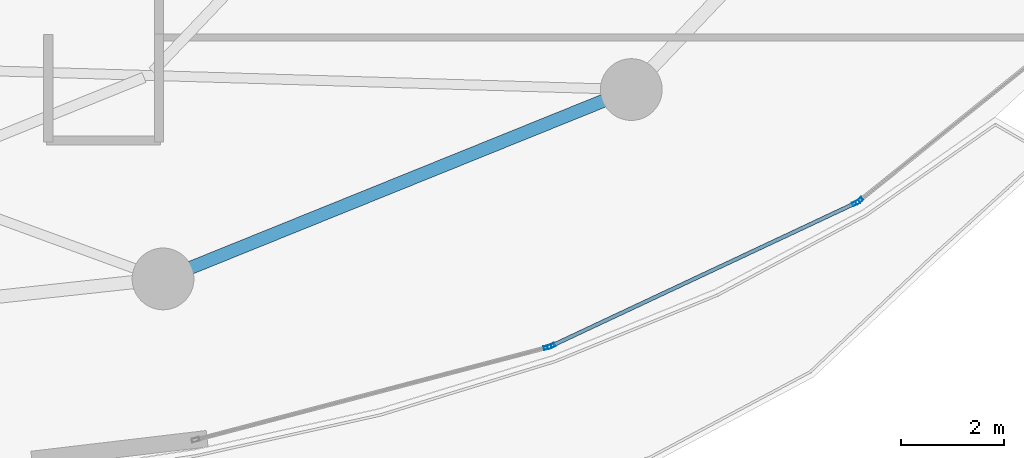
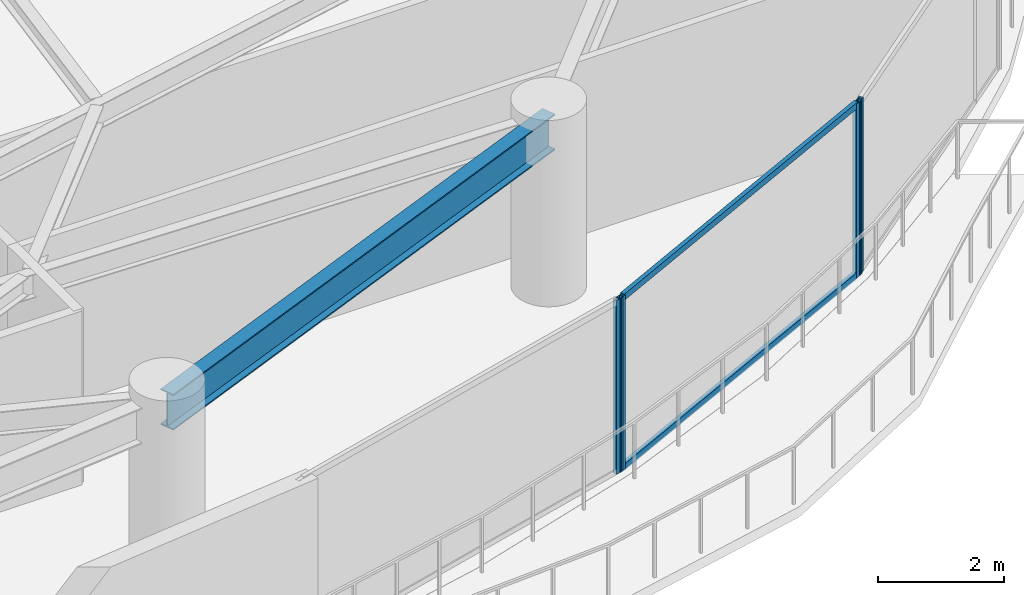
# One storey, part 14 of 34: 6 members, 1 beam, 3 elements without a shape of their own.
"""IFC4 building model written with IfcOpenShell, lengths in metres."""

from ifc_helpers import new_model, si_unit, direction, frame, origin, origin_2d, place, context, subcontext, project, spatial, hollow_rectangle, i_section, extrude, material, layer, layer_set, material_profile, profile_set, type_object, element, aggregate, save


model = new_model("IFC4")

# Units and contexts
model_context = context("Model", 3, precision=1e-05, world=origin(), true_north=direction((0.0, 1.0)))
body_context = subcontext(model_context, "Body", "Model", "MODEL_VIEW")
ifc_project = project(units=[si_unit("LENGTHUNIT", "METRE"), si_unit("AREAUNIT", "SQUARE_METRE"), si_unit("VOLUMEUNIT", "CUBIC_METRE"), si_unit("PLANEANGLEUNIT", "RADIAN"), si_unit("MASSUNIT", "GRAM", prefix="KILO")], contexts=[model_context])

# Site, building, storey
site_placement = place(None, origin())
site = spatial("IfcSite", under=ifc_project, at=site_placement, CompositionType="ELEMENT")
building_placement = place(site_placement, origin())
building = spatial("IfcBuilding", under=site, at=building_placement, Name="Kazevale Care Tower and Concert Hall", CompositionType="ELEMENT")
storey_placement = place(building_placement, frame((0.0, 0.0, 156.60009765625)))
storey = spatial("IfcBuildingStorey", under=building, at=storey_placement, Name="L41", CompositionType="ELEMENT", Elevation=156.60009765625)

# Curtain wall, member
ifc_material_1 = material(Name="Aluminium 6063-T6 and Low-E Glass", Category="aluminium")
ifc_layer = layer(ifc_material_1, 0.179931640625)
ifc_layer_set = layer_set([ifc_layer], Name="Aluminium 6063-T6 and Low-E Glass")
curtain_wall_type = type_object("IfcCurtainWallType", Name="Sheltered Concave Balcony Curtain Wall CW-5", PredefinedType="NOTDEFINED", material=ifc_layer_set)
curtain_wall_1_placement = place(storey_placement, origin())
curtain_wall_1 = element("IfcCurtainWall", 1, at=curtain_wall_1_placement, inside=storey, type_object=curtain_wall_type, Name="cw:L41:f02", PredefinedType="NOTDEFINED")
ifc_material_2 = material(Name="Aluminium 6063-T6", Category="aluminium")
ifc_material_profile_1 = material_profile(ifc_material_2, hollow_rectangle(XDim=0.074951171875, YDim=0.14990234375, WallThickness=0.00390625, at=origin_2d()), Name="ALU75x150x4")
ifc_profile_set_1 = profile_set([ifc_material_profile_1], Name="Aluminium 6063-T6")
member_type_1 = type_object("IfcMemberType", Name="CW-5 Mullion ALU75x150x4", PredefinedType="MULLION", material=ifc_profile_set_1)
member_1_placement = place(storey_placement, frame((69.25927734375, 20.826416015625, 0.0), z_axis=(0.0, 0.0, 1.0), x_axis=(0.626905357502, -0.779095419531, 0.0)))
member_1 = element("IfcMember", 2, at=member_1_placement, type_object=member_type_1, Name="CW-5 mullion 2", PredefinedType="MULLION", context=body_context, shape_type="SweptSolid", body=[
    extrude(hollow_rectangle(XDim=0.074951171875, YDim=0.14990234375, WallThickness=0.00390625, at=origin_2d()), origin(), (0.0, 0.0, 1.0), 3.35986328125),
])
aggregate(curtain_wall_1, [member_1])

# Curtain wall, members
curtain_wall_2_placement = place(storey_placement, origin())
curtain_wall_2 = element("IfcCurtainWall", 3, at=curtain_wall_2_placement, inside=storey, type_object=curtain_wall_type, Name="cw:L41:f03", PredefinedType="NOTDEFINED")
member_2_placement = place(storey_placement, frame((69.196044921875, 20.787109375, 0.0), z_axis=(0.0, 0.0, 1.0), x_axis=(0.425010766963, -0.905188294205, 0.0)))
member_2 = element("IfcMember", 4, at=member_2_placement, type_object=member_type_1, Name="CW-5 mullion 1", PredefinedType="MULLION", context=body_context, shape_type="SweptSolid", body=[
    extrude(hollow_rectangle(XDim=0.074951171875, YDim=0.14990234375, WallThickness=0.00390625, at=origin_2d()), origin(), (0.0, 0.0, 1.0), 3.35986328125),
])
member_3_placement = place(storey_placement, frame((63.27490234375, 18.0068359375, 0.0), z_axis=(0.0, 0.0, 1.0), x_axis=(0.425010766963, -0.905188294205, 0.0)))
member_3 = element("IfcMember", 5, at=member_3_placement, type_object=member_type_1, Name="CW-5 mullion 2", PredefinedType="MULLION", context=body_context, shape_type="SweptSolid", body=[
    extrude(hollow_rectangle(XDim=0.074951171875, YDim=0.14990234375, WallThickness=0.00390625, at=origin_2d()), origin(), (0.0, 0.0, 1.0), 3.35986328125),
])

# Curtain wall, member
curtain_wall_3_placement = place(storey_placement, origin())
curtain_wall_3 = element("IfcCurtainWall", 6, at=curtain_wall_3_placement, inside=storey, type_object=curtain_wall_type, Name="cw:L41:f04", PredefinedType="NOTDEFINED")
member_4_placement = place(storey_placement, frame((63.204833984375, 17.9814453125, 0.0), z_axis=(0.0, 0.0, 1.0), x_axis=(0.254238458229, -0.967141564797, 0.0)))
member_4 = element("IfcMember", 7, at=member_4_placement, type_object=member_type_1, Name="CW-5 mullion 1", PredefinedType="MULLION", context=body_context, shape_type="SweptSolid", body=[
    extrude(hollow_rectangle(XDim=0.074951171875, YDim=0.14990234375, WallThickness=0.00390625, at=origin_2d()), origin(), (0.0, 0.0, 1.0), 3.35986328125),
])
aggregate(curtain_wall_3, [member_4])

# Member
ifc_material_profile_2 = material_profile(ifc_material_2, hollow_rectangle(XDim=0.074951171875, YDim=0.1201171875, WallThickness=0.00390625, at=origin_2d()), Name="ALU75x120x4")
ifc_profile_set_2 = profile_set([ifc_material_profile_2], Name="Aluminium 6063-T6")
member_type_2 = type_object("IfcMemberType", Name="CW-5 Transom ALU75x120x4", PredefinedType="USERDEFINED", material=ifc_profile_set_2)
member_5_placement = place(storey_placement, frame((69.162109375, 20.771240234375, 0.037353515625), z_axis=(-0.90518714704, -0.425013210187, 0.0), x_axis=(0.425013210187, -0.90518714704, 0.0)))
member_5 = element("IfcMember", 8, at=member_5_placement, type_object=member_type_2, Name="CW-5 transom 1.1", ObjectType="TRANSOM", PredefinedType="USERDEFINED", context=body_context, shape_type="SweptSolid", body=[
    extrude(hollow_rectangle(XDim=0.074951171875, YDim=0.1201171875, WallThickness=0.00390625, at=origin_2d()), origin(), (0.0, 0.0, 1.0), 6.46630859375),
])

member_6_placement = place(storey_placement, frame((69.162109375, 20.771240234375, 3.322509765625), z_axis=(-0.90518714704, -0.425013210187, 0.0), x_axis=(0.425013210187, -0.90518714704, 0.0)))
member_6 = element("IfcMember", 9, at=member_6_placement, type_object=member_type_2, Name="CW-5 transom 1.2", ObjectType="TRANSOM", PredefinedType="USERDEFINED", context=body_context, shape_type="SweptSolid", body=[
    extrude(hollow_rectangle(XDim=0.074951171875, YDim=0.1201171875, WallThickness=0.00390625, at=origin_2d()), origin(), (0.0, 0.0, 1.0), 6.46630859375),
])

aggregate(curtain_wall_2, [member_2, member_3, member_5, member_6])

# Beam
ifc_material_3 = material(Name="Steel ASTM A572 Gr 50", Category="steel")
ifc_material_profile_3 = material_profile(ifc_material_3, i_section(OverallWidth=0.256103515625, OverallDepth=0.693115234375, WebThickness=0.014404296875, FlangeThickness=0.023681640625, at=origin_2d()), Name="W690x170")
ifc_profile_set_3 = profile_set([ifc_material_profile_3], Name="Steel ASTM A572 Gr 50")
beam_type = type_object("IfcBeamType", Name="Waist Ring Beam W690x170", PredefinedType="BEAM", material=ifc_profile_set_3)
beam_placement = place(storey_placement, frame((55.72998046875, 19.31005859375, 3.013427734375), z_axis=(0.927068687828, 0.374891515041, 0.0), x_axis=(-0.374891515041, 0.927068687828, 0.0)))
element("IfcBeam", 10, at=beam_placement, inside=storey, type_object=beam_type, Name="beam:L41:ring:14", PredefinedType="BEAM", context=body_context, shape_type="SweptSolid", body=[
    extrude(i_section(OverallWidth=0.256103515625, OverallDepth=0.693115234375, WebThickness=0.014404296875, FlangeThickness=0.023681640625, at=origin_2d()), origin(), (0.0, 0.0, 1.0), 9.81591796875),
])

save(model, "model.ifc")
